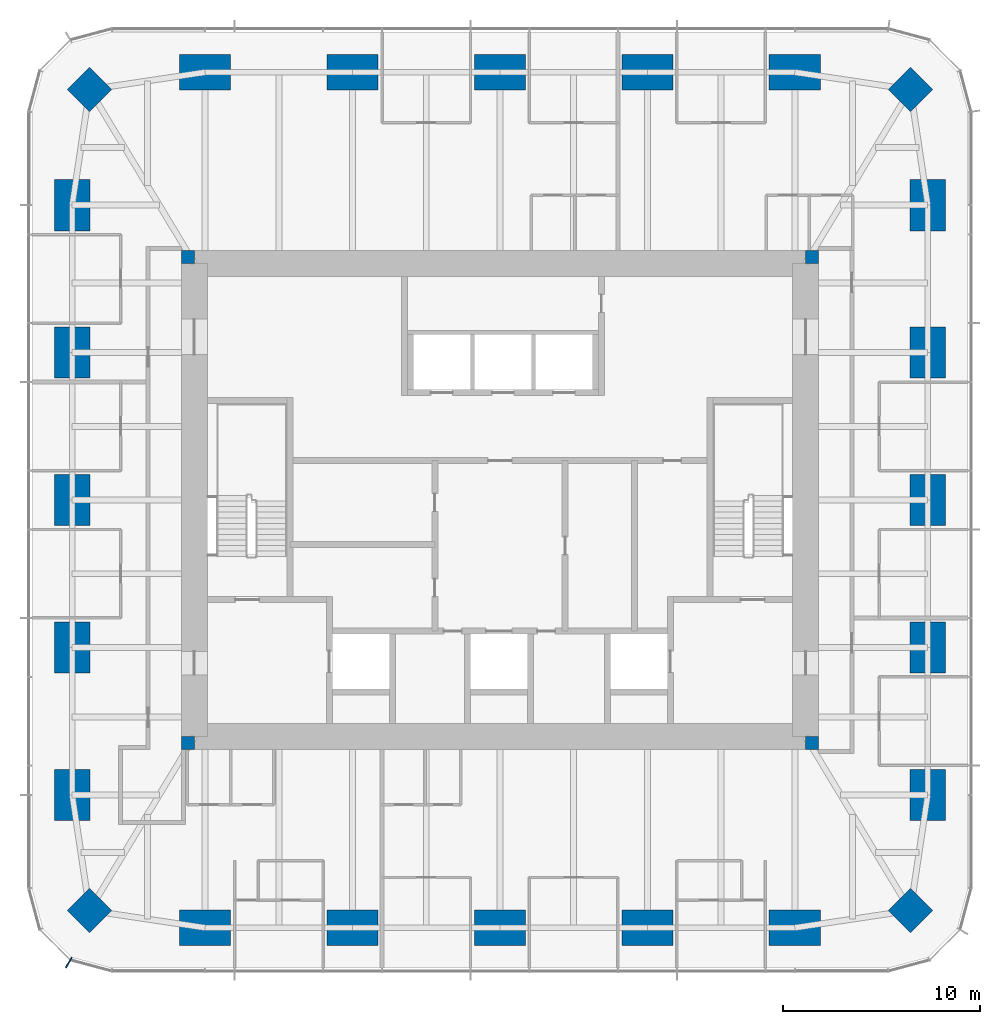
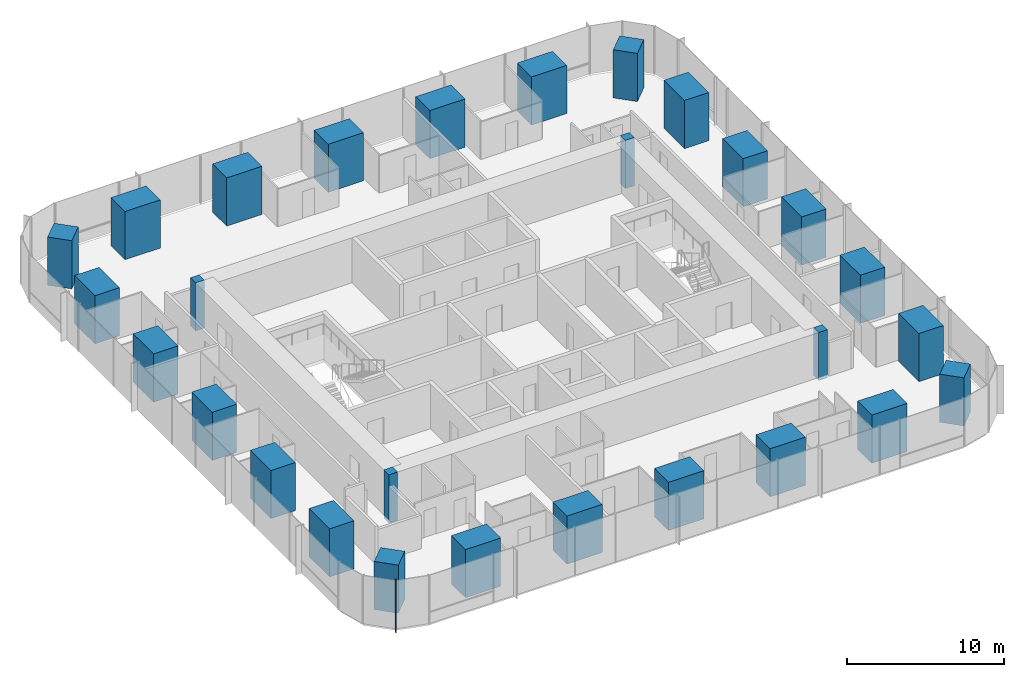
# One storey, part 1 of 12: 28 columns, 1 member, 1 element without a shape of its own.
"""IFC4 building model written with IfcOpenShell, lengths in metres."""

from ifc_helpers import new_model, si_unit, direction, frame, origin, origin_2d, place, context, subcontext, project, spatial, rectangle, extrude, material, material_profile, profile_set, type_object, element, aggregate, save


model = new_model("IFC4")

# Units and contexts
model_context = context("Model", 3, precision=1e-05, world=origin(), true_north=direction((0.0, 1.0)))
body_context = subcontext(model_context, "Body", "Model", "MODEL_VIEW")
ifc_project = project(units=[si_unit("LENGTHUNIT", "METRE"), si_unit("AREAUNIT", "SQUARE_METRE"), si_unit("VOLUMEUNIT", "CUBIC_METRE"), si_unit("PLANEANGLEUNIT", "RADIAN"), si_unit("MASSUNIT", "GRAM", prefix="KILO")], contexts=[model_context])

# Site, building, storey
site_placement = place(None, origin())
site = spatial("IfcSite", under=ifc_project, at=site_placement, CompositionType="ELEMENT")
building_placement = place(site_placement, origin())
building = spatial("IfcBuilding", under=site, at=building_placement, Name="Khuree Lantern Residences", CompositionType="ELEMENT")
storey_placement = place(building_placement, frame((0.0, 0.0, 293.25)))
storey = spatial("IfcBuildingStorey", under=building, at=storey_placement, Name="L73", CompositionType="ELEMENT", Elevation=293.25)

# Columns
ifc_material_1 = material(Name="Concrete C70/85", Category="concrete")
ifc_material_profile_1 = material_profile(ifc_material_1, rectangle(XDim=1.60009765625, YDim=1.60009765625, at=origin_2d()), Name="RC 1600X1600")
ifc_profile_set_1 = profile_set([ifc_material_profile_1], Name="Concrete C70/85")
column_type_1 = type_object("IfcColumnType", Name="CC1600A PERIMETER CORNER COLUMN RC 1600X1600", PredefinedType="COLUMN", material=ifc_profile_set_1)
for number, where, z_axis, x_axis, name in (
    (1, (20.8212890625, 20.8212890625, 0.0), (0.0, 0.0, 1.0), (0.707106781187, -0.707106781187, 0.0), "Perimeter column NE"),
    (2, (20.8212890625, -20.8212890625, 0.0), (0.0, 0.0, 1.0), (0.707106781187, 0.707106781187, 0.0), "Perimeter column SE"),
    (3, (-20.8212890625, -20.8212890625, 0.0), (0.0, 0.0, 1.0), (0.707106781187, -0.707106781187, 0.0), "Perimeter column SW"),
    (4, (-20.8212890625, 20.8212890625, 0.0), (0.0, 0.0, 1.0), (0.707106781187, 0.707106781187, 0.0), "Perimeter column NW"),
):
    element("IfcColumn", number, at=place(storey_placement, frame(where, z_axis=z_axis, x_axis=x_axis)), inside=storey, type_object=column_type_1, Name=name, PredefinedType="COLUMN", context=body_context, shape_type="SweptSolid", body=[
        extrude(rectangle(XDim=1.60009765625, YDim=1.60009765625, at=origin_2d()), origin(), (0.0, 0.0, 1.0), 3.75),
    ])
ifc_material_2 = material(Name="Concrete C50/60", Category="concrete")
ifc_material_profile_2 = material_profile(ifc_material_2, rectangle(XDim=0.64990234375, YDim=0.64990234375, at=origin_2d()), Name="RC 650X650")
ifc_profile_set_2 = profile_set([ifc_material_profile_2], Name="Concrete C50/60")
column_type_2 = type_object("IfcColumnType", Name="CP650-C50 CORE CORNER PIER C50 RC 650X650", PredefinedType="COLUMN", material=ifc_profile_set_2)
for number, where, z_axis, x_axis, name in (
    (5, (15.824951171875, 12.324951171875, -0.25), (0.0, 0.0, 1.0), (1.0, 0.0, 0.0), "Core corner pier NE"),
    (6, (-15.824951171875, 12.324951171875, -0.25), (0.0, 0.0, 1.0), (1.0, 0.0, 0.0), "Core corner pier NW"),
    (7, (-15.824951171875, -12.324951171875, -0.25), (0.0, 0.0, 1.0), (1.0, 0.0, 0.0), "Core corner pier SW"),
    (8, (15.824951171875, -12.324951171875, -0.25), (0.0, 0.0, 1.0), (1.0, 0.0, 0.0), "Core corner pier SE"),
):
    element("IfcColumn", number, at=place(storey_placement, frame(where, z_axis=z_axis, x_axis=x_axis)), inside=storey, type_object=column_type_2, Name=name, PredefinedType="COLUMN", context=body_context, shape_type="SweptSolid", body=[
        extrude(rectangle(XDim=0.64990234375, YDim=0.64990234375, at=origin_2d()), origin(), (0.0, 0.0, 1.0), 3.75),
    ])
ifc_material_profile_3 = material_profile(ifc_material_1, rectangle(XDim=2.60009765625, YDim=1.800048828125, at=origin_2d()), Name="RC 2600X1800")
ifc_profile_set_3 = profile_set([ifc_material_profile_3], Name="Concrete C70/85")
column_type_3 = type_object("IfcColumnType", Name="PC3 PERIMETER COLUMN RC 2600X1800", PredefinedType="COLUMN", material=ifc_profile_set_3)
for number, where, z_axis, x_axis, name in (
    (9, (-14.9599609375, 21.699951171875, 0.0), (0.0, 0.0, 1.0), (1.0, 0.0, 0.0), "Perimeter column N1"),
    (10, (-7.47998046875, 21.699951171875, 0.0), (0.0, 0.0, 1.0), (1.0, 0.0, 0.0), "Perimeter column N2"),
    (11, (0.0, 21.699951171875, 0.0), (0.0, 0.0, 1.0), (1.0, 0.0, 0.0), "Perimeter column N3"),
    (12, (7.47998046875, 21.699951171875, 0.0), (0.0, 0.0, 1.0), (1.0, 0.0, 0.0), "Perimeter column N4"),
    (13, (14.9599609375, 21.699951171875, 0.0), (0.0, 0.0, 1.0), (1.0, 0.0, 0.0), "Perimeter column N5"),
    (14, (21.699951171875, 14.9599609375, 0.0), (0.0, 0.0, 1.0), (0.0, 1.0, 0.0), "Perimeter column E1"),
    (15, (21.699951171875, 7.47998046875, 0.0), (0.0, 0.0, 1.0), (0.0, 1.0, 0.0), "Perimeter column E2"),
    (16, (21.699951171875, 0.0, 0.0), (0.0, 0.0, 1.0), (0.0, 1.0, 0.0), "Perimeter column E3"),
    (17, (21.699951171875, -7.47998046875, 0.0), (0.0, 0.0, 1.0), (0.0, 1.0, 0.0), "Perimeter column E4"),
    (18, (21.699951171875, -14.9599609375, 0.0), (0.0, 0.0, 1.0), (0.0, 1.0, 0.0), "Perimeter column E5"),
    (19, (14.9599609375, -21.699951171875, 0.0), (0.0, 0.0, 1.0), (1.0, 0.0, 0.0), "Perimeter column S1"),
    (20, (7.47998046875, -21.699951171875, 0.0), (0.0, 0.0, 1.0), (1.0, 0.0, 0.0), "Perimeter column S2"),
    (21, (0.0, -21.699951171875, 0.0), (0.0, 0.0, 1.0), (1.0, 0.0, 0.0), "Perimeter column S3"),
    (22, (-7.47998046875, -21.699951171875, 0.0), (0.0, 0.0, 1.0), (1.0, 0.0, 0.0), "Perimeter column S4"),
    (23, (-14.9599609375, -21.699951171875, 0.0), (0.0, 0.0, 1.0), (1.0, 0.0, 0.0), "Perimeter column S5"),
    (24, (-21.699951171875, -14.9599609375, 0.0), (0.0, 0.0, 1.0), (0.0, 1.0, 0.0), "Perimeter column W1"),
    (25, (-21.699951171875, -7.47998046875, 0.0), (0.0, 0.0, 1.0), (0.0, 1.0, 0.0), "Perimeter column W2"),
    (26, (-21.699951171875, 0.0, 0.0), (0.0, 0.0, 1.0), (0.0, 1.0, 0.0), "Perimeter column W3"),
    (27, (-21.699951171875, 7.47998046875, 0.0), (0.0, 0.0, 1.0), (0.0, 1.0, 0.0), "Perimeter column W4"),
    (28, (-21.699951171875, 14.9599609375, 0.0), (0.0, 0.0, 1.0), (0.0, 1.0, 0.0), "Perimeter column W5"),
):
    element("IfcColumn", number, at=place(storey_placement, frame(where, z_axis=z_axis, x_axis=x_axis)), inside=storey, type_object=column_type_3, Name=name, PredefinedType="COLUMN", context=body_context, shape_type="SweptSolid", body=[
        extrude(rectangle(XDim=2.60009765625, YDim=1.800048828125, at=origin_2d()), origin(), (0.0, 0.0, 1.0), 3.75),
    ])

# Curtain wall, member
ifc_material_3 = material(Name="Bronze anodised aluminium", Category="aluminium")
curtain_wall_type = type_object("IfcCurtainWallType", Name="CW-T2 TOWER CORNER CURTAIN WALL", PredefinedType="USERDEFINED", material=ifc_material_3)
curtain_wall_placement = place(storey_placement, origin())
curtain_wall = element("IfcCurtainWall", 29, at=curtain_wall_placement, inside=storey, type_object=curtain_wall_type, Name="L73 SOUTH-WEST CORNER CURTAIN WALL", ObjectType="Faceted corner curtain wall", PredefinedType="USERDEFINED")
ifc_material_profile_4 = material_profile(ifc_material_3, rectangle(XDim=0.06494140625, YDim=0.60009765625, at=origin_2d()), Name="F1 65X600")
ifc_profile_set_4 = profile_set([ifc_material_profile_4], Name="Bronze anodised aluminium")
member_type = type_object("IfcMemberType", Name="F1 BRONZE FIN MULLION TOWER 65X600", PredefinedType="MULLION", material=ifc_profile_set_4)
member_placement = place(storey_placement, frame((-21.875, -23.46728515625, 0.0), z_axis=(0.0, 0.0, 1.0), x_axis=(0.866025437565, -0.49999994149, 0.0)))
member = element("IfcMember", 30, at=member_placement, type_object=member_type, Name="L73 SOUTH-WEST CORNER FIN MULLION 45", PredefinedType="MULLION", context=body_context, shape_type="SweptSolid", body=[
    extrude(rectangle(XDim=0.06494140625, YDim=0.60009765625, at=origin_2d()), origin(), (0.0, 0.0, 1.0), 3.75),
])
aggregate(curtain_wall, [member])

save(model, "model.ifc")
